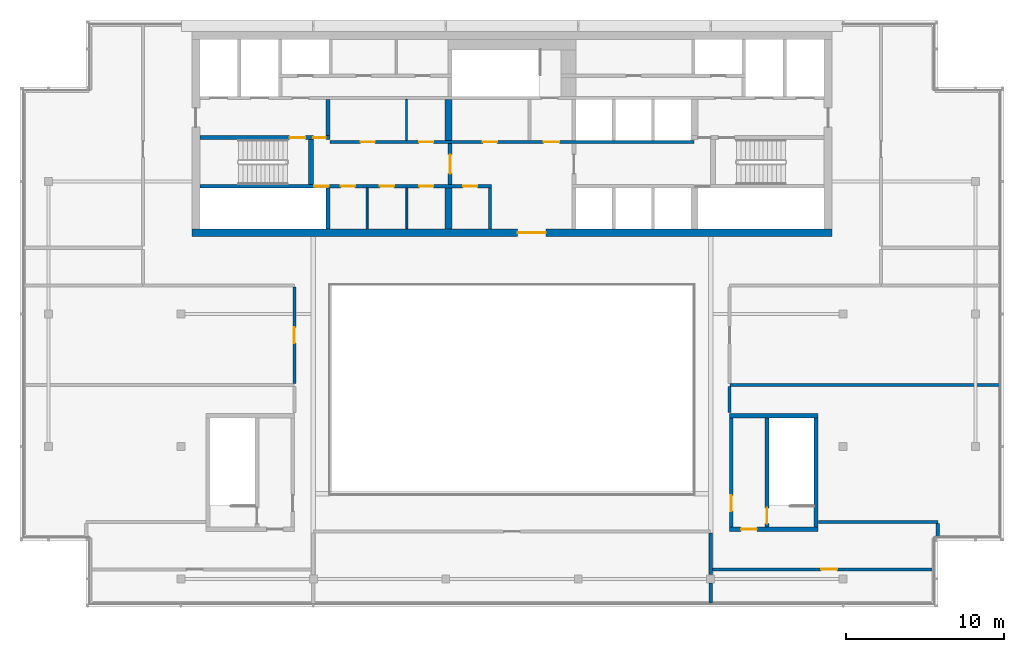
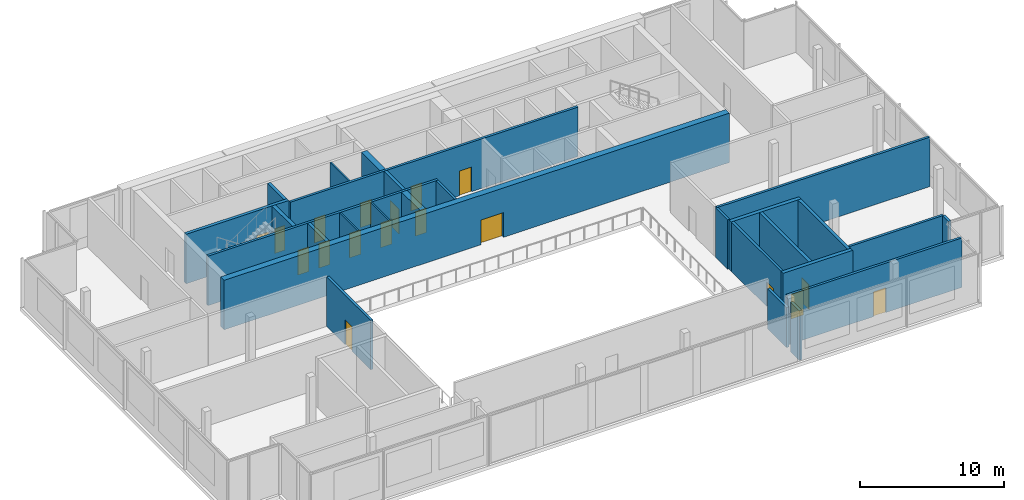
# One storey, part 11 of 14: 27 walls, 18 doors, 18 openings.
"""IFC4 building model written with IfcOpenShell, lengths in metres."""

from ifc_helpers import new_model, si_unit, direction, frame, frame_2d, origin, place, context, subcontext, project, spatial, rectangle, extrude, material, layer, layer_set, type_object, element, fill, save


model = new_model("IFC4")

# Units and contexts
model_context = context("Model", 3, precision=1e-05, world=origin(), true_north=direction((0.0, 1.0)))
body_context = subcontext(model_context, "Body", "Model", "MODEL_VIEW")
ifc_project = project(units=[si_unit("LENGTHUNIT", "METRE"), si_unit("AREAUNIT", "SQUARE_METRE"), si_unit("VOLUMEUNIT", "CUBIC_METRE"), si_unit("PLANEANGLEUNIT", "RADIAN"), si_unit("MASSUNIT", "GRAM", prefix="KILO")], contexts=[model_context])

# Site, building, storey
site_placement = place(None, origin())
site = spatial("IfcSite", under=ifc_project, at=site_placement, CompositionType="ELEMENT")
building_placement = place(site_placement, origin())
building = spatial("IfcBuilding", under=site, at=building_placement, Name="Saffron Gate Tower", CompositionType="ELEMENT")
storey_placement = place(building_placement, frame((0.0, 0.0, 310.35009765625)))
storey = spatial("IfcBuildingStorey", under=building, at=storey_placement, Name="L76", CompositionType="ELEMENT", Elevation=310.35009765625)

# Wall
ifc_material_1 = material(Name="Gypsum board partition on steel studs", Category="steel")
ifc_layer_1 = layer(ifc_material_1, 0.199951171875)
ifc_layer_set_1 = layer_set([ifc_layer_1], Name="CW10 Core partition 200")
wall_type_1 = type_object("IfcWallType", Name="CW10 Core partition 200", PredefinedType="PARTITIONING", material=ifc_layer_set_1)
wall_1_placement = place(storey_placement, frame((86.199951171875, 62.39990234375, 0.0), z_axis=(0.0, 0.0, 1.0), x_axis=(0.0, 1.0, 0.0)))
element("IfcWall", 1, at=wall_1_placement, inside=storey, type_object=wall_type_1, Name="Wall CW10-L76-9", PredefinedType="PARTITIONING", context=body_context, shape_type="SweptSolid", body=[
    extrude(rectangle(XDim=2.60009765625, YDim=0.199951171875, at=frame_2d((1.300048828125, 0.0))), origin(), (0.0, 0.0, 1.0), 4.199951171875),
])

# Wall, opening, door
wall_2_placement = place(storey_placement, frame((101.5, 43.5, 0.0), z_axis=(0.0, 0.0, 1.0), x_axis=(0.0, 1.0, 0.0)))
wall_2 = element("IfcWall", 2, at=wall_2_placement, inside=storey, type_object=wall_type_1, Name="Wall CW10-L76-E-2", PredefinedType="PARTITIONING", context=body_context, shape_type="SweptSolid", body=[
    extrude(rectangle(XDim=6.89990234375, YDim=0.199951171875, at=frame_2d((3.449951171875, 0.0))), origin(), (0.0, 0.0, 1.0), 4.199951171875),
])
opening_1_placement = place(wall_2_placement, frame((1.0, 0.0, 0.0)))
opening_1 = element("IfcOpeningElement", 3, at=opening_1_placement, cuts=wall_2, Name="Opening CR-22", PredefinedType="OPENING", context=body_context, shape_type="SweptSolid", body=[
    extrude(rectangle(XDim=1.0, YDim=2.10009765625, at=frame_2d((0.5, 1.050048828125))), frame((0.0, 0.10986328125, 0.0), z_axis=(0.0, -1.0, 0.0), x_axis=(1.0, 0.0, 0.0)), (0.0, 0.0, 1.0), 0.219970703125),
])
ifc_material_2 = material(Name="Steel fire door set", Category="steel")
door_type_1 = type_object("IfcDoorType", Name="CD4 Lobby door 1000x2100 EI 120", OperationType="NOTDEFINED", PredefinedType="DOOR", material=ifc_material_2)
door_1_placement = place(opening_1_placement, origin())
door_1 = element("IfcDoor", 4, at=door_1_placement, inside=storey, type_object=door_type_1, Name="DOOR CR-22", OperationType="SINGLE_SWING_LEFT", OverallHeight=2.10009765625, OverallWidth=1.0, PredefinedType="DOOR", context=body_context, shape_type="SweptSolid", body=[
    extrude(rectangle(XDim=1.0, YDim=2.10009765625, at=frame_2d((0.5, 1.050048828125))), frame((0.0, 0.02490234375, 0.0), z_axis=(0.0, -1.0, 0.0), x_axis=(1.0, 0.0, 0.0)), (0.0, 0.0, 1.0), 0.050048828125),
])
fill(opening_1, door_1)

ifc_material_3 = material(Name="Concrete C50", Category="concrete")
ifc_layer_2 = layer(ifc_material_3, 0.5)
ifc_layer_set_2 = layer_set([ifc_layer_2], Name="CW22 RC core wall 500 C50")
wall_type_2 = type_object("IfcWallType", Name="CW22 RC core wall 500 C50", PredefinedType="SOLIDWALL", material=ifc_layer_set_2)
wall_3_placement = place(storey_placement, frame((67.300048828125, 62.14990234375, 0.0), z_axis=(0.0, 0.0, 1.0), x_axis=(1.0, 0.0, 0.0)))
wall_3 = element("IfcWall", 5, at=wall_3_placement, inside=storey, type_object=wall_type_2, Name="Wall CW22-L76-1", PredefinedType="SOLIDWALL", context=body_context, shape_type="SweptSolid", body=[
    extrude(rectangle(XDim=40.599853515625, YDim=0.5, at=frame_2d((20.2998046875, 0.0))), origin(), (0.0, 0.0, 1.0), 4.199951171875),
])
opening_2_placement = place(wall_3_placement, frame((20.64990234375, 0.0, 0.0)))
opening_2 = element("IfcOpeningElement", 6, at=opening_2_placement, cuts=wall_3, Name="Opening CR-09", PredefinedType="OPENING", context=body_context, shape_type="SweptSolid", body=[
    extrude(rectangle(XDim=1.800048828125, YDim=2.10009765625, at=frame_2d((0.89990234375, 1.050048828125))), frame((0.0, 0.260009765625, 0.0), z_axis=(0.0, -1.0, 0.0), x_axis=(1.0, 0.0, 0.0)), (0.0, 0.0, 1.0), 0.52001953125),
])
door_type_2 = type_object("IfcDoorType", Name="CD1 Core entrance door 1800x2100 EI 120", OperationType="NOTDEFINED", PredefinedType="DOOR", material=ifc_material_2)
door_2_placement = place(opening_2_placement, origin())
door_2 = element("IfcDoor", 7, at=door_2_placement, inside=storey, type_object=door_type_2, Name="DOOR CR-09", OperationType="DOUBLE_DOOR_SINGLE_SWING", OverallHeight=2.10009765625, OverallWidth=1.800048828125, PredefinedType="DOOR", context=body_context, shape_type="SweptSolid", body=[
    extrude(rectangle(XDim=1.800048828125, YDim=2.10009765625, at=frame_2d((0.89990234375, 1.050048828125))), frame((0.0, 0.02490234375, 0.0), z_axis=(0.0, -1.0, 0.0), x_axis=(1.0, 0.0, 0.0)), (0.0, 0.0, 1.0), 0.050048828125),
])
fill(opening_2, door_2)

# Wall
ifc_layer_3 = layer(ifc_material_3, 0.25)
ifc_layer_set_3 = layer_set([ifc_layer_3], Name="CW23 RC core wall 250 C50")
wall_type_3 = type_object("IfcWallType", Name="CW23 RC core wall 250 C50", PredefinedType="SOLIDWALL", material=ifc_layer_set_3)
wall_4_placement = place(storey_placement, frame((75.925048828125, 62.39990234375, 0.0), z_axis=(0.0, 0.0, 1.0), x_axis=(0.0, 1.0, 0.0)))
element("IfcWall", 8, at=wall_4_placement, inside=storey, type_object=wall_type_3, Name="Wall CW23-L76-5", PredefinedType="SOLIDWALL", context=body_context, shape_type="SweptSolid", body=[
    extrude(rectangle(XDim=2.60009765625, YDim=0.25, at=frame_2d((1.300048828125, 0.0))), origin(), (0.0, 0.0, 1.0), 4.199951171875),
])

# Wall, opening, door
wall_5_placement = place(storey_placement, frame((83.675048828125, 65.199951171875, 0.0), z_axis=(0.0, 0.0, 1.0), x_axis=(0.0, 1.0, 0.0)))
wall_5 = element("IfcWall", 9, at=wall_5_placement, inside=storey, type_object=wall_type_3, Name="Wall CW23-L76-17", PredefinedType="SOLIDWALL", context=body_context, shape_type="SweptSolid", body=[
    extrude(rectangle(XDim=2.60009765625, YDim=0.25, at=frame_2d((1.300048828125, 0.0))), origin(), (0.0, 0.0, 1.0), 4.199951171875),
])
opening_3_placement = place(wall_5_placement, frame((0.699951171875, 0.0, 0.0)))
opening_3 = element("IfcOpeningElement", 10, at=opening_3_placement, cuts=wall_5, Name="Opening CR-07", PredefinedType="OPENING", context=body_context, shape_type="SweptSolid", body=[
    extrude(rectangle(XDim=1.199951171875, YDim=2.10009765625, at=frame_2d((0.60009765625, 1.050048828125))), frame((0.0, 0.135009765625, 0.0), z_axis=(0.0, -1.0, 0.0), x_axis=(1.0, 0.0, 0.0)), (0.0, 0.0, 1.0), 0.27001953125),
])
door_type_3 = type_object("IfcDoorType", Name="CD3 Lobby door 1200x2100 EI 120", OperationType="NOTDEFINED", PredefinedType="DOOR", material=ifc_material_2)
door_3_placement = place(opening_3_placement, origin())
door_3 = element("IfcDoor", 11, at=door_3_placement, inside=storey, type_object=door_type_3, Name="DOOR CR-07", OperationType="SINGLE_SWING_RIGHT", OverallHeight=2.10009765625, OverallWidth=1.199951171875, PredefinedType="DOOR", context=body_context, shape_type="SweptSolid", body=[
    extrude(rectangle(XDim=1.199951171875, YDim=2.10009765625, at=frame_2d((0.60009765625, 1.050048828125))), frame((0.0, 0.02490234375, 0.0), z_axis=(0.0, -1.0, 0.0), x_axis=(1.0, 0.0, 0.0)), (0.0, 0.0, 1.0), 0.050048828125),
])
fill(opening_3, door_3)

# Wall, openings, doors
wall_6_placement = place(storey_placement, frame((67.800048828125, 68.175048828125, 0.0), z_axis=(0.0, 0.0, 1.0), x_axis=(1.0, 0.0, 0.0)))
wall_6 = element("IfcWall", 12, at=wall_6_placement, inside=storey, type_object=wall_type_3, Name="Wall CW23-L76-28", PredefinedType="SOLIDWALL", context=body_context, shape_type="SweptSolid", body=[
    extrude(rectangle(XDim=8.25, YDim=0.25, at=frame_2d((4.125, 0.0))), origin(), (0.0, 0.0, 1.0), 4.199951171875),
])
opening_4_placement = place(wall_6_placement, frame((5.699951171875, 0.0, 0.0)))
opening_4 = element("IfcOpeningElement", 13, at=opening_4_placement, cuts=wall_6, Name="Opening CR-15", PredefinedType="OPENING", context=body_context, shape_type="SweptSolid", body=[
    extrude(rectangle(XDim=1.0, YDim=2.10009765625, at=frame_2d((0.5, 1.050048828125))), frame((0.0, 0.135009765625, 0.0), z_axis=(0.0, -1.0, 0.0), x_axis=(1.0, 0.0, 0.0)), (0.0, 0.0, 1.0), 0.27001953125),
])
opening_5_placement = place(wall_6_placement, frame((7.199951171875, 0.0, 0.0)))
opening_5 = element("IfcOpeningElement", 14, at=opening_5_placement, cuts=wall_6, Name="Opening CR-06", PredefinedType="OPENING", context=body_context, shape_type="SweptSolid", body=[
    extrude(rectangle(XDim=0.800048828125, YDim=2.10009765625, at=frame_2d((0.39990234375, 1.050048828125))), frame((0.0, 0.135009765625, 0.0), z_axis=(0.0, -1.0, 0.0), x_axis=(1.0, 0.0, 0.0)), (0.0, 0.0, 1.0), 0.27001953125),
])
door_type_4 = type_object("IfcDoorType", Name="CD5 Stair door 1000x2100 EI 120", OperationType="NOTDEFINED", PredefinedType="DOOR", material=ifc_material_2)
door_4_placement = place(opening_4_placement, origin())
door_4 = element("IfcDoor", 15, at=door_4_placement, inside=storey, type_object=door_type_4, Name="DOOR CR-15", OperationType="SINGLE_SWING_RIGHT", OverallHeight=2.10009765625, OverallWidth=1.0, PredefinedType="DOOR", context=body_context, shape_type="SweptSolid", body=[
    extrude(rectangle(XDim=1.0, YDim=2.10009765625, at=frame_2d((0.5, 1.050048828125))), frame((0.0, 0.02490234375, 0.0), z_axis=(0.0, -1.0, 0.0), x_axis=(1.0, 0.0, 0.0)), (0.0, 0.0, 1.0), 0.050048828125),
])
fill(opening_4, door_4)
door_type_5 = type_object("IfcDoorType", Name="CD6 Lobby door 800x2100 EI 120", OperationType="NOTDEFINED", PredefinedType="DOOR", material=ifc_material_2)
door_5_placement = place(opening_5_placement, origin())
door_5 = element("IfcDoor", 16, at=door_5_placement, inside=storey, type_object=door_type_5, Name="DOOR CR-06", OperationType="SINGLE_SWING_LEFT", OverallHeight=2.10009765625, OverallWidth=0.800048828125, PredefinedType="DOOR", context=body_context, shape_type="SweptSolid", body=[
    extrude(rectangle(XDim=0.800048828125, YDim=2.10009765625, at=frame_2d((0.39990234375, 1.050048828125))), frame((0.0, 0.02490234375, 0.0), z_axis=(0.0, -1.0, 0.0), x_axis=(1.0, 0.0, 0.0)), (0.0, 0.0, 1.0), 0.050048828125),
])
fill(opening_5, door_5)

# Wall
wall_7_placement = place(storey_placement, frame((75.925048828125, 68.300048828125, 0.0), z_axis=(0.0, 0.0, 1.0), x_axis=(0.0, 1.0, 0.0)))
element("IfcWall", 17, at=wall_7_placement, inside=storey, type_object=wall_type_3, Name="Wall CW23-L76-30", PredefinedType="SOLIDWALL", context=body_context, shape_type="SweptSolid", body=[
    extrude(rectangle(XDim=2.300048828125, YDim=0.25, at=frame_2d((1.14990234375, 0.0))), origin(), (0.0, 0.0, 1.0), 4.199951171875),
])

# Wall, opening, door
wall_8_placement = place(storey_placement, frame((103.77490234375, 43.5, 0.0), z_axis=(0.0, 0.0, 1.0), x_axis=(0.0, 1.0, 0.0)))
wall_8 = element("IfcWall", 18, at=wall_8_placement, inside=storey, type_object=wall_type_3, Name="Wall CW23-L76-E-3", PredefinedType="SOLIDWALL", context=body_context, shape_type="SweptSolid", body=[
    extrude(rectangle(XDim=6.89990234375, YDim=0.25, at=frame_2d((3.449951171875, 0.0))), origin(), (0.0, 0.0, 1.0), 4.199951171875),
])
opening_6_placement = place(wall_8_placement, frame((0.199951171875, 0.0, 0.0)))
opening_6 = element("IfcOpeningElement", 19, at=opening_6_placement, cuts=wall_8, Name="Opening CR-23", PredefinedType="OPENING", context=body_context, shape_type="SweptSolid", body=[
    extrude(rectangle(XDim=1.0, YDim=2.10009765625, at=frame_2d((0.5, 1.050048828125))), frame((0.0, 0.135009765625, 0.0), z_axis=(0.0, -1.0, 0.0), x_axis=(1.0, 0.0, 0.0)), (0.0, 0.0, 1.0), 0.27001953125),
])
door_6_placement = place(opening_6_placement, origin())
door_6 = element("IfcDoor", 20, at=door_6_placement, inside=storey, type_object=door_type_4, Name="DOOR CR-23", OperationType="SINGLE_SWING_RIGHT", OverallHeight=2.10009765625, OverallWidth=1.0, PredefinedType="DOOR", context=body_context, shape_type="SweptSolid", body=[
    extrude(rectangle(XDim=1.0, YDim=2.10009765625, at=frame_2d((0.5, 1.050048828125))), frame((0.0, 0.02490234375, 0.0), z_axis=(0.0, -1.0, 0.0), x_axis=(1.0, 0.0, 0.0)), (0.0, 0.0, 1.0), 0.050048828125),
])
fill(opening_6, door_6)

# Walls
wall_9_placement = place(storey_placement, frame((106.875, 43.5, 0.0), z_axis=(0.0, 0.0, 1.0), x_axis=(0.0, 1.0, 0.0)))
element("IfcWall", 21, at=wall_9_placement, inside=storey, type_object=wall_type_3, Name="Wall CW23-L76-E-4", PredefinedType="SOLIDWALL", context=body_context, shape_type="SweptSolid", body=[
    extrude(rectangle(XDim=6.89990234375, YDim=0.25, at=frame_2d((3.449951171875, 0.0))), origin(), (0.0, 0.0, 1.0), 4.199951171875),
])
ifc_layer_4 = layer(ifc_material_3, 0.449951171875)
ifc_layer_set_4 = layer_set([ifc_layer_4], Name="CW24 RC core wall 450 C50")
wall_type_4 = type_object("IfcWallType", Name="CW24 RC core wall 450 C50", PredefinedType="SOLIDWALL", material=ifc_layer_set_4)
for number, where, z_axis, x_axis, name in (
    (22, (83.574951171875, 62.39990234375, 0.0), (0.0, 0.0, 1.0), (0.0, 1.0, 0.0), "Wall CW24-L76-8"),
    (23, (83.574951171875, 68.0, 0.0), (0.0, 0.0, 1.0), (0.0, 1.0, 0.0), "Wall CW24-L76-22"),
):
    element("IfcWall", number, at=place(storey_placement, frame(where, z_axis=z_axis, x_axis=x_axis)), inside=storey, type_object=wall_type_4, Name=name, PredefinedType="SOLIDWALL", context=body_context, shape_type="SweptSolid", body=[
        extrude(rectangle(XDim=2.60009765625, YDim=0.449951171875, at=frame_2d((1.300048828125, 0.0))), origin(), (0.0, 0.0, 1.0), 4.199951171875),
    ])

# Wall, openings, doors
ifc_layer_5 = layer(ifc_material_3, 0.199951171875)
ifc_layer_set_5 = layer_set([ifc_layer_5], Name="CW25 RC core wall 200 C50")
wall_type_5 = type_object("IfcWallType", Name="CW25 RC core wall 200 C50", PredefinedType="SOLIDWALL", material=ifc_layer_set_5)
wall_10_placement = place(storey_placement, frame((67.800048828125, 65.10009765625, 0.0), z_axis=(0.0, 0.0, 1.0), x_axis=(1.0, 0.0, 0.0)))
wall_10 = element("IfcWall", 24, at=wall_10_placement, inside=storey, type_object=wall_type_5, Name="Wall CW25-L76-14", PredefinedType="SOLIDWALL", context=body_context, shape_type="SweptSolid", body=[
    extrude(rectangle(XDim=18.5, YDim=0.199951171875, at=frame_2d((9.25, 0.0))), origin(), (0.0, 0.0, 1.0), 4.199951171875),
])
opening_7_placement = place(wall_10_placement, frame((7.27001953125, 0.0, 0.0)))
opening_7 = element("IfcOpeningElement", 25, at=opening_7_placement, cuts=wall_10, Name="Opening CR-49", PredefinedType="OPENING", context=body_context, shape_type="SweptSolid", body=[
    extrude(rectangle(XDim=0.89990234375, YDim=2.10009765625, at=frame_2d((0.449951171875, 1.050048828125))), frame((0.0, 0.10986328125, 0.0), z_axis=(0.0, -1.0, 0.0), x_axis=(1.0, 0.0, 0.0)), (0.0, 0.0, 1.0), 0.219970703125),
])
opening_8_placement = place(wall_10_placement, frame((8.949951171875, 0.0, 0.0)))
opening_8 = element("IfcOpeningElement", 26, at=opening_8_placement, cuts=wall_10, Name="Opening CR-64", PredefinedType="OPENING", context=body_context, shape_type="SweptSolid", body=[
    extrude(rectangle(XDim=0.89990234375, YDim=2.10009765625, at=frame_2d((0.449951171875, 1.050048828125))), frame((0.0, 0.10986328125, 0.0), z_axis=(0.0, -1.0, 0.0), x_axis=(1.0, 0.0, 0.0)), (0.0, 0.0, 1.0), 0.219970703125),
])
opening_9_placement = place(wall_10_placement, frame((11.419921875, 0.0, 0.0)))
opening_9 = element("IfcOpeningElement", 27, at=opening_9_placement, cuts=wall_10, Name="Opening CR-65", PredefinedType="OPENING", context=body_context, shape_type="SweptSolid", body=[
    extrude(rectangle(XDim=0.89990234375, YDim=2.10009765625, at=frame_2d((0.449951171875, 1.050048828125))), frame((0.0, 0.10986328125, 0.0), z_axis=(0.0, -1.0, 0.0), x_axis=(1.0, 0.0, 0.0)), (0.0, 0.0, 1.0), 0.219970703125),
])
opening_10_placement = place(wall_10_placement, frame((13.919921875, 0.0, 0.0)))
opening_10 = element("IfcOpeningElement", 28, at=opening_10_placement, cuts=wall_10, Name="Opening CR-66", PredefinedType="OPENING", context=body_context, shape_type="SweptSolid", body=[
    extrude(rectangle(XDim=0.89990234375, YDim=2.10009765625, at=frame_2d((0.449951171875, 1.050048828125))), frame((0.0, 0.10986328125, 0.0), z_axis=(0.0, -1.0, 0.0), x_axis=(1.0, 0.0, 0.0)), (0.0, 0.0, 1.0), 0.219970703125),
])
opening_11_placement = place(wall_10_placement, frame((16.699951171875, 0.0, 0.0)))
opening_11 = element("IfcOpeningElement", 29, at=opening_11_placement, cuts=wall_10, Name="Opening CR-69", PredefinedType="OPENING", context=body_context, shape_type="SweptSolid", body=[
    extrude(rectangle(XDim=0.89990234375, YDim=2.10009765625, at=frame_2d((0.449951171875, 1.050048828125))), frame((0.0, 0.10986328125, 0.0), z_axis=(0.0, -1.0, 0.0), x_axis=(1.0, 0.0, 0.0)), (0.0, 0.0, 1.0), 0.219970703125),
])
door_type_6 = type_object("IfcDoorType", Name="CD2 Riser door 900x2100 EI 60", OperationType="NOTDEFINED", PredefinedType="DOOR", material=ifc_material_2)
door_7_placement = place(opening_7_placement, origin())
door_7 = element("IfcDoor", 30, at=door_7_placement, inside=storey, type_object=door_type_6, Name="DOOR CR-49", OperationType="SINGLE_SWING_LEFT", OverallHeight=2.10009765625, OverallWidth=0.89990234375, PredefinedType="DOOR", context=body_context, shape_type="SweptSolid", body=[
    extrude(rectangle(XDim=0.89990234375, YDim=2.10009765625, at=frame_2d((0.449951171875, 1.050048828125))), frame((0.0, 0.02490234375, 0.0), z_axis=(0.0, -1.0, 0.0), x_axis=(1.0, 0.0, 0.0)), (0.0, 0.0, 1.0), 0.050048828125),
])
fill(opening_7, door_7)
door_type_7 = type_object("IfcDoorType", Name="CD9 Room door 900x2100 EI 60", OperationType="NOTDEFINED", PredefinedType="DOOR", material=ifc_material_2)
door_8_placement = place(opening_8_placement, origin())
door_8 = element("IfcDoor", 31, at=door_8_placement, inside=storey, type_object=door_type_7, Name="DOOR CR-64", OperationType="SINGLE_SWING_RIGHT", OverallHeight=2.10009765625, OverallWidth=0.89990234375, PredefinedType="DOOR", context=body_context, shape_type="SweptSolid", body=[
    extrude(rectangle(XDim=0.89990234375, YDim=2.10009765625, at=frame_2d((0.449951171875, 1.050048828125))), frame((0.0, 0.02490234375, 0.0), z_axis=(0.0, -1.0, 0.0), x_axis=(1.0, 0.0, 0.0)), (0.0, 0.0, 1.0), 0.050048828125),
])
fill(opening_8, door_8)
door_9_placement = place(opening_9_placement, origin())
door_9 = element("IfcDoor", 32, at=door_9_placement, inside=storey, type_object=door_type_7, Name="DOOR CR-65", OperationType="SINGLE_SWING_RIGHT", OverallHeight=2.10009765625, OverallWidth=0.89990234375, PredefinedType="DOOR", context=body_context, shape_type="SweptSolid", body=[
    extrude(rectangle(XDim=0.89990234375, YDim=2.10009765625, at=frame_2d((0.449951171875, 1.050048828125))), frame((0.0, 0.02490234375, 0.0), z_axis=(0.0, -1.0, 0.0), x_axis=(1.0, 0.0, 0.0)), (0.0, 0.0, 1.0), 0.050048828125),
])
fill(opening_9, door_9)
door_10_placement = place(opening_10_placement, origin())
door_10 = element("IfcDoor", 33, at=door_10_placement, inside=storey, type_object=door_type_7, Name="DOOR CR-66", OperationType="SINGLE_SWING_RIGHT", OverallHeight=2.10009765625, OverallWidth=0.89990234375, PredefinedType="DOOR", context=body_context, shape_type="SweptSolid", body=[
    extrude(rectangle(XDim=0.89990234375, YDim=2.10009765625, at=frame_2d((0.449951171875, 1.050048828125))), frame((0.0, 0.02490234375, 0.0), z_axis=(0.0, -1.0, 0.0), x_axis=(1.0, 0.0, 0.0)), (0.0, 0.0, 1.0), 0.050048828125),
])
fill(opening_10, door_10)
door_11_placement = place(opening_11_placement, origin())
door_11 = element("IfcDoor", 34, at=door_11_placement, inside=storey, type_object=door_type_7, Name="DOOR CR-69", OperationType="SINGLE_SWING_RIGHT", OverallHeight=2.10009765625, OverallWidth=0.89990234375, PredefinedType="DOOR", context=body_context, shape_type="SweptSolid", body=[
    extrude(rectangle(XDim=0.89990234375, YDim=2.10009765625, at=frame_2d((0.449951171875, 1.050048828125))), frame((0.0, 0.02490234375, 0.0), z_axis=(0.0, -1.0, 0.0), x_axis=(1.0, 0.0, 0.0)), (0.0, 0.0, 1.0), 0.050048828125),
])
fill(opening_11, door_11)

wall_11_placement = place(storey_placement, frame((76.050048828125, 67.89990234375, 0.0), z_axis=(0.0, 0.0, 1.0), x_axis=(1.0, 0.0, 0.0)))
wall_11 = element("IfcWall", 35, at=wall_11_placement, inside=storey, type_object=wall_type_5, Name="Wall CW25-L76-20", PredefinedType="SOLIDWALL", context=body_context, shape_type="SweptSolid", body=[
    extrude(rectangle(XDim=23.099853515625, YDim=0.199951171875, at=frame_2d((11.5498046875, 0.0))), origin(), (0.0, 0.0, 1.0), 4.199951171875),
])
opening_12_placement = place(wall_11_placement, frame((1.949951171875, 0.0, 0.0)))
opening_12 = element("IfcOpeningElement", 36, at=opening_12_placement, cuts=wall_11, Name="Opening CR-61", PredefinedType="OPENING", context=body_context, shape_type="SweptSolid", body=[
    extrude(rectangle(XDim=0.89990234375, YDim=2.10009765625, at=frame_2d((0.449951171875, 1.050048828125))), frame((0.0, 0.10986328125, 0.0), z_axis=(0.0, -1.0, 0.0), x_axis=(1.0, 0.0, 0.0)), (0.0, 0.0, 1.0), 0.219970703125),
])
opening_13_placement = place(wall_11_placement, frame((5.659912109375, 0.0, 0.0)))
opening_13 = element("IfcOpeningElement", 37, at=opening_13_placement, cuts=wall_11, Name="Opening CR-62", PredefinedType="OPENING", context=body_context, shape_type="SweptSolid", body=[
    extrude(rectangle(XDim=0.89990234375, YDim=2.10009765625, at=frame_2d((0.449951171875, 1.050048828125))), frame((0.0, 0.10986328125, 0.0), z_axis=(0.0, -1.0, 0.0), x_axis=(1.0, 0.0, 0.0)), (0.0, 0.0, 1.0), 0.219970703125),
])
opening_14_placement = place(wall_11_placement, frame((9.699951171875, 0.0, 0.0)))
opening_14 = element("IfcOpeningElement", 38, at=opening_14_placement, cuts=wall_11, Name="Opening CR-67", PredefinedType="OPENING", context=body_context, shape_type="SweptSolid", body=[
    extrude(rectangle(XDim=0.89990234375, YDim=2.10009765625, at=frame_2d((0.449951171875, 1.050048828125))), frame((0.0, 0.10986328125, 0.0), z_axis=(0.0, -1.0, 0.0), x_axis=(1.0, 0.0, 0.0)), (0.0, 0.0, 1.0), 0.219970703125),
])
opening_15_placement = place(wall_11_placement, frame((13.550048828125, 0.0, 0.0)))
opening_15 = element("IfcOpeningElement", 39, at=opening_15_placement, cuts=wall_11, Name="Opening CR-02", PredefinedType="OPENING", context=body_context, shape_type="SweptSolid", body=[
    extrude(rectangle(XDim=1.0, YDim=2.10009765625, at=frame_2d((0.5, 1.050048828125))), frame((0.0, 0.10986328125, 0.0), z_axis=(0.0, -1.0, 0.0), x_axis=(1.0, 0.0, 0.0)), (0.0, 0.0, 1.0), 0.219970703125),
])
door_12_placement = place(opening_15_placement, origin())
door_12 = element("IfcDoor", 40, at=door_12_placement, inside=storey, type_object=door_type_1, Name="DOOR CR-02", OperationType="SINGLE_SWING_LEFT", OverallHeight=2.10009765625, OverallWidth=1.0, PredefinedType="DOOR", context=body_context, shape_type="SweptSolid", body=[
    extrude(rectangle(XDim=1.0, YDim=2.10009765625, at=frame_2d((0.5, 1.050048828125))), frame((0.0, 0.02490234375, 0.0), z_axis=(0.0, -1.0, 0.0), x_axis=(1.0, 0.0, 0.0)), (0.0, 0.0, 1.0), 0.050048828125),
])
fill(opening_15, door_12)
door_13_placement = place(opening_12_placement, origin())
door_13 = element("IfcDoor", 41, at=door_13_placement, inside=storey, type_object=door_type_7, Name="DOOR CR-61", OperationType="SINGLE_SWING_LEFT", OverallHeight=2.10009765625, OverallWidth=0.89990234375, PredefinedType="DOOR", context=body_context, shape_type="SweptSolid", body=[
    extrude(rectangle(XDim=0.89990234375, YDim=2.10009765625, at=frame_2d((0.449951171875, 1.050048828125))), frame((0.0, 0.02490234375, 0.0), z_axis=(0.0, -1.0, 0.0), x_axis=(1.0, 0.0, 0.0)), (0.0, 0.0, 1.0), 0.050048828125),
])
fill(opening_12, door_13)
door_14_placement = place(opening_13_placement, origin())
door_14 = element("IfcDoor", 42, at=door_14_placement, inside=storey, type_object=door_type_7, Name="DOOR CR-62", OperationType="SINGLE_SWING_LEFT", OverallHeight=2.10009765625, OverallWidth=0.89990234375, PredefinedType="DOOR", context=body_context, shape_type="SweptSolid", body=[
    extrude(rectangle(XDim=0.89990234375, YDim=2.10009765625, at=frame_2d((0.449951171875, 1.050048828125))), frame((0.0, 0.02490234375, 0.0), z_axis=(0.0, -1.0, 0.0), x_axis=(1.0, 0.0, 0.0)), (0.0, 0.0, 1.0), 0.050048828125),
])
fill(opening_13, door_14)
door_15_placement = place(opening_14_placement, origin())
door_15 = element("IfcDoor", 43, at=door_15_placement, inside=storey, type_object=door_type_7, Name="DOOR CR-67", OperationType="SINGLE_SWING_LEFT", OverallHeight=2.10009765625, OverallWidth=0.89990234375, PredefinedType="DOOR", context=body_context, shape_type="SweptSolid", body=[
    extrude(rectangle(XDim=0.89990234375, YDim=2.10009765625, at=frame_2d((0.449951171875, 1.050048828125))), frame((0.0, 0.02490234375, 0.0), z_axis=(0.0, -1.0, 0.0), x_axis=(1.0, 0.0, 0.0)), (0.0, 0.0, 1.0), 0.050048828125),
])
fill(opening_14, door_15)

# Wall
ifc_layer_6 = layer(ifc_material_3, 0.300048828125)
ifc_layer_set_6 = layer_set([ifc_layer_6], Name="CW26 RC core wall 300 C50")
wall_type_6 = type_object("IfcWallType", Name="CW26 RC core wall 300 C50", PredefinedType="SOLIDWALL", material=ifc_layer_set_6)
wall_12_placement = place(storey_placement, frame((74.85009765625, 65.199951171875, 0.0), z_axis=(0.0, 0.0, 1.0), x_axis=(0.0, 1.0, 0.0)))
element("IfcWall", 44, at=wall_12_placement, inside=storey, type_object=wall_type_6, Name="Wall CW26-L76-16", PredefinedType="SOLIDWALL", context=body_context, shape_type="SweptSolid", body=[
    extrude(rectangle(XDim=2.85009765625, YDim=0.300048828125, at=frame_2d((1.425048828125, 0.0))), origin(), (0.0, 0.0, 1.0), 4.199951171875),
])

# Wall, opening, door
wall_13_placement = place(storey_placement, frame((101.39990234375, 43.35009765625, 0.0), z_axis=(0.0, 0.0, 1.0), x_axis=(1.0, 0.0, 0.0)))
wall_13 = element("IfcWall", 45, at=wall_13_placement, inside=storey, type_object=wall_type_6, Name="Wall CW26-L76-E-1", PredefinedType="SOLIDWALL", context=body_context, shape_type="SweptSolid", body=[
    extrude(rectangle(XDim=5.60009765625, YDim=0.300048828125, at=frame_2d((2.800048828125, 0.0))), origin(), (0.0, 0.0, 1.0), 4.199951171875),
])
opening_16_placement = place(wall_13_placement, frame((0.72509765625, 0.0, 0.0)))
opening_16 = element("IfcOpeningElement", 46, at=opening_16_placement, cuts=wall_13, Name="Opening CR-21", PredefinedType="OPENING", context=body_context, shape_type="SweptSolid", body=[
    extrude(rectangle(XDim=1.0, YDim=2.10009765625, at=frame_2d((0.5, 1.050048828125))), frame((0.0, 0.16015625, 0.0), z_axis=(0.0, -1.0, 0.0), x_axis=(1.0, 0.0, 0.0)), (0.0, 0.0, 1.0), 0.320068359375),
])
door_16_placement = place(opening_16_placement, origin())
door_16 = element("IfcDoor", 47, at=door_16_placement, inside=storey, type_object=door_type_1, Name="DOOR CR-21", OperationType="SINGLE_SWING_RIGHT", OverallHeight=2.10009765625, OverallWidth=1.0, PredefinedType="DOOR", context=body_context, shape_type="SweptSolid", body=[
    extrude(rectangle(XDim=1.0, YDim=2.10009765625, at=frame_2d((0.5, 1.050048828125))), frame((0.0, 0.02490234375, 0.0), z_axis=(0.0, -1.0, 0.0), x_axis=(1.0, 0.0, 0.0)), (0.0, 0.0, 1.0), 0.050048828125),
])
fill(opening_16, door_16)

# Walls
wall_14_placement = place(storey_placement, frame((101.39990234375, 50.550048828125, 0.0), z_axis=(0.0, 0.0, 1.0), x_axis=(1.0, 0.0, 0.0)))
element("IfcWall", 48, at=wall_14_placement, inside=storey, type_object=wall_type_6, Name="Wall CW26-L76-E-5", PredefinedType="SOLIDWALL", context=body_context, shape_type="SweptSolid", body=[
    extrude(rectangle(XDim=5.60009765625, YDim=0.300048828125, at=frame_2d((2.800048828125, 0.0))), origin(), (0.0, 0.0, 1.0), 4.199951171875),
])
ifc_layer_7 = layer(ifc_material_1, 0.1201171875)
ifc_layer_set_7 = layer_set([ifc_layer_7], Name="CW8 Core partition 120")
wall_type_7 = type_object("IfcWallType", Name="CW8 Core partition 120", PredefinedType="PARTITIONING", material=ifc_layer_set_7)
for number, where, z_axis, x_axis, name in (
    (49, (78.409912109375, 62.39990234375, 0.0), (0.0, 0.0, 1.0), (0.0, 1.0, 0.0), "Wall CW8-L76-6"),
    (50, (80.929931640625, 62.39990234375, 0.0), (0.0, 0.0, 1.0), (0.0, 1.0, 0.0), "Wall CW8-L76-7"),
    (51, (80.909912109375, 68.0, 0.0), (0.0, 0.0, 1.0), (0.0, 1.0, 0.0), "Wall CW8-L76-21"),
):
    element("IfcWall", number, at=place(storey_placement, frame(where, z_axis=z_axis, x_axis=x_axis)), inside=storey, type_object=wall_type_7, Name=name, PredefinedType="PARTITIONING", context=body_context, shape_type="SweptSolid", body=[
        extrude(rectangle(XDim=2.60009765625, YDim=0.1201171875, at=frame_2d((1.300048828125, 0.0))), origin(), (0.0, 0.0, 1.0), 4.199951171875),
    ])

# Wall, opening, door
ifc_material_4 = material(Name="Clay brick masonry, rendered", Category="masonry")
ifc_layer_8 = layer(ifc_material_4, 0.199951171875)
ifc_layer_set_8 = layer_set([ifc_layer_8], Name="PW4 Plant room wall 200")
wall_type_8 = type_object("IfcWallType", Name="PW4 Plant room wall 200", PredefinedType="PARTITIONING", material=ifc_layer_set_8)
wall_15_placement = place(storey_placement, frame((114.320068359375, 40.800048828125, 0.0), z_axis=(0.0, 0.0, 1.0), x_axis=(-1.0, 0.0, 0.0)))
wall_15 = element("IfcWall", 52, at=wall_15_placement, inside=storey, type_object=wall_type_8, Name="Wall CR-2", PredefinedType="PARTITIONING", context=body_context, shape_type="SweptSolid", body=[
    extrude(rectangle(XDim=14.02001953125, YDim=0.199951171875, at=frame_2d((7.010009765625, 0.0))), origin(), (0.0, 0.0, 1.0), 4.199951171875),
])
opening_17_placement = place(wall_15_placement, frame((6.110107421875, 0.0, 0.0)))
opening_17 = element("IfcOpeningElement", 53, at=opening_17_placement, cuts=wall_15, Name="Opening CR-5", PredefinedType="OPENING", context=body_context, shape_type="SweptSolid", body=[
    extrude(rectangle(XDim=1.0, YDim=2.10009765625, at=frame_2d((0.5, 1.050048828125))), frame((0.0, 0.10986328125, 0.0), z_axis=(0.0, -1.0, 0.0), x_axis=(1.0, 0.0, 0.0)), (0.0, 0.0, 1.0), 0.219970703125),
])
door_type_8 = type_object("IfcDoorType", Name="PD1 Plant room door 1000x2100", OperationType="NOTDEFINED", PredefinedType="DOOR", material=ifc_material_2)
door_17_placement = place(opening_17_placement, origin())
door_17 = element("IfcDoor", 54, at=door_17_placement, inside=storey, type_object=door_type_8, Name="Door CR-5", OperationType="SINGLE_SWING_RIGHT", OverallHeight=2.10009765625, OverallWidth=1.0, PredefinedType="DOOR", context=body_context, shape_type="SweptSolid", body=[
    extrude(rectangle(XDim=1.0, YDim=2.10009765625, at=frame_2d((0.5, 1.050048828125))), frame((0.0, 0.02490234375, 0.0), z_axis=(0.0, -1.0, 0.0), x_axis=(1.0, 0.0, 0.0)), (0.0, 0.0, 1.0), 0.050048828125),
])
fill(opening_17, door_17)

wall_16_placement = place(storey_placement, frame((73.800048828125, 52.60009765625, 0.0), z_axis=(0.0, 0.0, 1.0), x_axis=(0.0, 1.0, 0.0)))
wall_16 = element("IfcWall", 55, at=wall_16_placement, inside=storey, type_object=wall_type_8, Name="Wall CR-18", PredefinedType="PARTITIONING", context=body_context, shape_type="SweptSolid", body=[
    extrude(rectangle(XDim=6.099853515625, YDim=0.199951171875, at=frame_2d((3.0498046875, 0.0))), origin(), (0.0, 0.0, 1.0), 4.199951171875),
])
opening_18_placement = place(wall_16_placement, frame((2.550048828125, 0.0, 0.0)))
opening_18 = element("IfcOpeningElement", 56, at=opening_18_placement, cuts=wall_16, Name="Opening CR-2", PredefinedType="OPENING", context=body_context, shape_type="SweptSolid", body=[
    extrude(rectangle(XDim=1.0, YDim=2.10009765625, at=frame_2d((0.5, 1.050048828125))), frame((0.0, 0.10986328125, 0.0), z_axis=(0.0, -1.0, 0.0), x_axis=(1.0, 0.0, 0.0)), (0.0, 0.0, 1.0), 0.219970703125),
])
door_18_placement = place(opening_18_placement, origin())
door_18 = element("IfcDoor", 57, at=door_18_placement, inside=storey, type_object=door_type_8, Name="Door CR-2", OperationType="SINGLE_SWING_RIGHT", OverallHeight=2.10009765625, OverallWidth=1.0, PredefinedType="DOOR", context=body_context, shape_type="SweptSolid", body=[
    extrude(rectangle(XDim=1.0, YDim=2.10009765625, at=frame_2d((0.5, 1.050048828125))), frame((0.0, 0.02490234375, 0.0), z_axis=(0.0, -1.0, 0.0), x_axis=(1.0, 0.0, 0.0)), (0.0, 0.0, 1.0), 0.050048828125),
])
fill(opening_18, door_18)

# Walls
wall_17_placement = place(storey_placement, frame((100.199951171875, 39.929931640625, 0.0), z_axis=(0.0, 0.0, 1.0), x_axis=(0.0, -1.0, 0.0)))
element("IfcWall", 58, at=wall_17_placement, inside=storey, type_object=wall_type_8, Name="Wall CR-21", PredefinedType="PARTITIONING", context=body_context, shape_type="SweptSolid", body=[
    extrude(rectangle(XDim=1.25, YDim=0.199951171875, at=frame_2d((0.625, 0.0))), origin(), (0.0, 0.0, 1.0), 4.199951171875),
])
wall_18_placement = place(storey_placement, frame((100.199951171875, 43.10009765625, 0.0), z_axis=(0.0, 0.0, 1.0), x_axis=(0.0, -1.0, 0.0)))
element("IfcWall", 59, at=wall_18_placement, inside=storey, type_object=wall_type_8, Name="Wall CR-22", PredefinedType="PARTITIONING", context=body_context, shape_type="SweptSolid", body=[
    extrude(rectangle(XDim=2.630126953125, YDim=0.199951171875, at=frame_2d((1.31494140625, 0.0))), origin(), (0.0, 0.0, 1.0), 3.409912109375),
])
ifc_layer_9 = layer(ifc_material_4, 0.199951171875)
ifc_layer_set_9 = layer_set([ifc_layer_9], Name="PW5 Room wall 200")
wall_type_9 = type_object("IfcWallType", Name="PW5 Room wall 200", PredefinedType="PARTITIONING", material=ifc_layer_set_9)
wall_19_placement = place(storey_placement, frame((107.050048828125, 43.800048828125, 0.0), z_axis=(0.0, 0.0, 1.0), x_axis=(1.0, 0.0, 0.0)))
element("IfcWall", 60, at=wall_19_placement, inside=storey, type_object=wall_type_9, Name="Wall CR-5", PredefinedType="PARTITIONING", context=body_context, shape_type="SweptSolid", body=[
    extrude(rectangle(XDim=7.550048828125, YDim=0.199951171875, at=frame_2d((3.77490234375, 0.0))), origin(), (0.0, 0.0, 1.0), 4.199951171875),
])
wall_20_placement = place(storey_placement, frame((101.419921875, 52.5, 0.0), z_axis=(0.0, 0.0, 1.0), x_axis=(1.0, 0.0, 0.0)))
element("IfcWall", 61, at=wall_20_placement, inside=storey, type_object=wall_type_9, Name="Wall CR-7", PredefinedType="PARTITIONING", context=body_context, shape_type="SweptSolid", body=[
    extrude(rectangle(XDim=17.080078125, YDim=0.199951171875, at=frame_2d((8.5400390625, 0.0))), origin(), (0.0, 0.0, 1.0), 4.199951171875),
])
wall_21_placement = place(storey_placement, frame((101.39990234375, 52.39990234375, 0.0), z_axis=(0.0, 0.0, 1.0), x_axis=(0.0, -1.0, 0.0)))
element("IfcWall", 62, at=wall_21_placement, inside=storey, type_object=wall_type_9, Name="Wall CR-23", PredefinedType="PARTITIONING", context=body_context, shape_type="SweptSolid", body=[
    extrude(rectangle(XDim=1.64990234375, YDim=0.199951171875, at=frame_2d((0.824951171875, 0.0))), origin(), (0.0, 0.0, 1.0), 4.199951171875),
])
wall_22_placement = place(storey_placement, frame((114.60009765625, 43.699951171875, 0.0), z_axis=(0.0, 0.0, 1.0), x_axis=(0.0, -1.0, 0.0)))
element("IfcWall", 63, at=wall_22_placement, inside=storey, type_object=wall_type_9, Name="Wall CR-27", PredefinedType="PARTITIONING", context=body_context, shape_type="SweptSolid", body=[
    extrude(rectangle(XDim=0.800048828125, YDim=0.199951171875, at=frame_2d((0.39990234375, 0.0))), origin(), (0.0, 0.0, 1.0), 4.199951171875),
])

save(model, "model.ifc")
